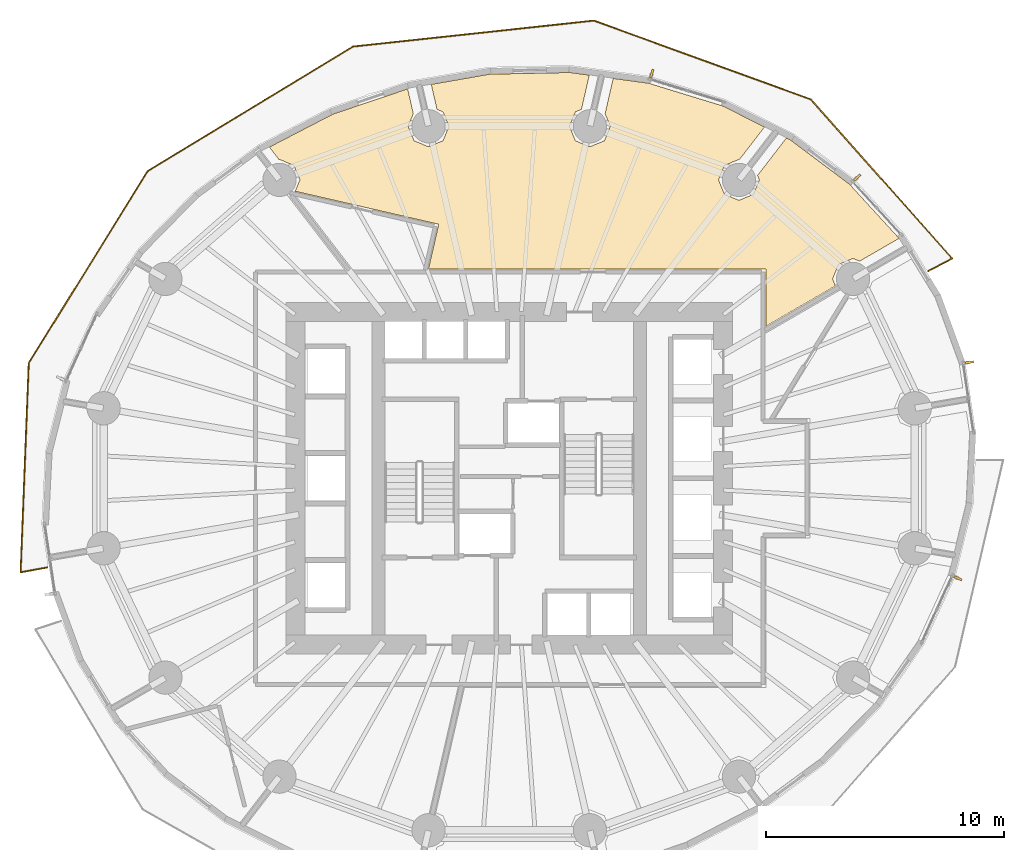
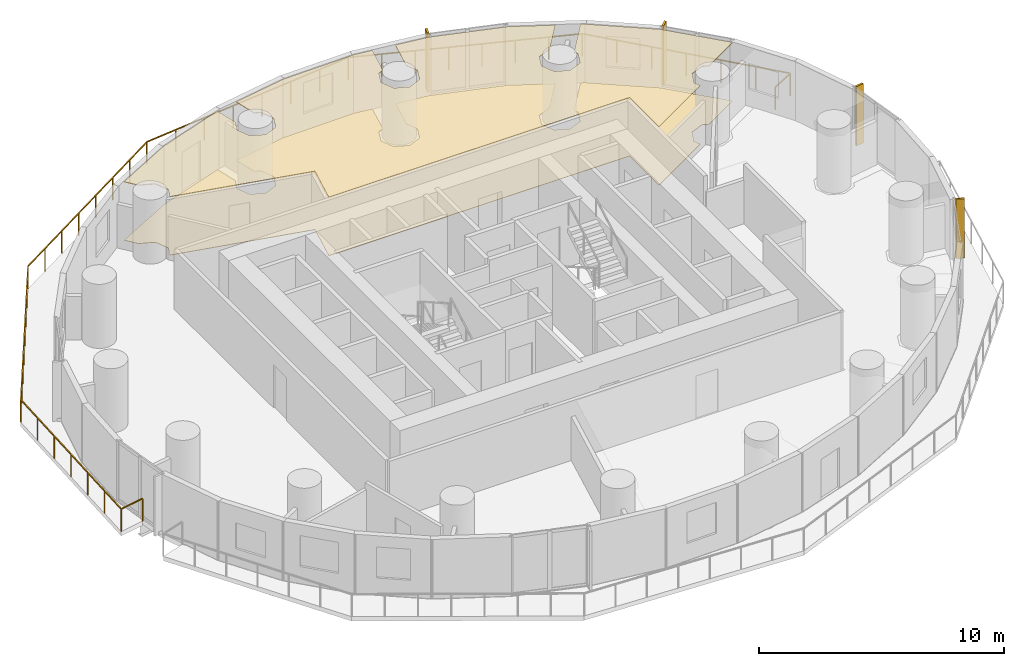
# One storey, part 13 of 13: 4 shading devices, 2 coverings, 1 railing.
"""IFC4 building model written with IfcOpenShell, lengths in metres."""

from ifc_helpers import new_model, si_unit, direction, frame, origin, origin_2d, place, context, subcontext, project, spatial, polyline, rectangle, outline, extrude, material, layer, layer_set, type_object, element, save


model = new_model("IFC4")

# Units and contexts
model_context = context("Model", 3, precision=1e-05, world=origin(), true_north=direction((0.0, 1.0)))
body_context = subcontext(model_context, "Body", "Model", "MODEL_VIEW")
ifc_project = project(units=[si_unit("LENGTHUNIT", "METRE"), si_unit("AREAUNIT", "SQUARE_METRE"), si_unit("VOLUMEUNIT", "CUBIC_METRE"), si_unit("PLANEANGLEUNIT", "RADIAN"), si_unit("MASSUNIT", "GRAM", prefix="KILO")], contexts=[model_context])

# Site, building, storey
site_placement = place(None, origin())
site = spatial("IfcSite", under=ifc_project, at=site_placement, CompositionType="ELEMENT")
building_placement = place(site_placement, origin())
building = spatial("IfcBuilding", under=site, at=building_placement, Name="Veldorim Arch Residences", CompositionType="ELEMENT")
storey_placement = place(building_placement, frame((0.0, 0.0, 60.0)))
storey = spatial("IfcBuildingStorey", under=building, at=storey_placement, Name="L17", CompositionType="ELEMENT", Elevation=60.0)

# Railing
ifc_material_1 = material(Name="Aluminium", Category="aluminium")
railing_type = type_object("IfcRailingType", Name="Balcony & Terrace Laminated Glass Balustrade 1150", PredefinedType="BALUSTRADE", material=ifc_material_1)
railing_placement = place(storey_placement, frame((49.627197265625, 32.710693359375, 0.0)))
element("IfcRailing", 1, at=railing_placement, inside=storey, type_object=railing_type, Name="L17 crescent balcony safety balustrade A", PredefinedType="BALUSTRADE", context=body_context, shape_type="SweptSolid", body=[
    extrude(rectangle(XDim=0.048095703125, YDim=0.048095703125, at=origin_2d()), frame((0.0, 0.0, 1.1259765625), z_axis=(0.882535057187, 0.470246608532, 0.0), x_axis=(-0.470246608532, 0.882535057187, 0.0)), (0.0, 0.0, 1.0), 1.14990234375),
    extrude(rectangle(XDim=0.048095703125, YDim=0.048095703125, at=origin_2d()), frame((1.014892578125, 0.540771484375, 1.1259765625), z_axis=(-0.664674991749, 0.747132622326, 0.0), x_axis=(-0.747132622326, -0.664674991749, 0.0)), (0.0, 0.0, 1.0), 8.95947265625),
    extrude(rectangle(XDim=0.048095703125, YDim=0.048095703125, at=origin_2d()), frame((-4.940185546875, 7.234619140625, 1.1259765625), z_axis=(-0.939918921512, 0.341397746014, 0.0), x_axis=(-0.341397746014, -0.939918921512, 0.0)), (0.0, 0.0, 1.0), 9.707763671875),
    extrude(rectangle(XDim=0.048095703125, YDim=0.048095703125, at=origin_2d()), frame((-14.064697265625, 10.548828125, 1.1259765625), z_axis=(-0.994246394541, -0.107117257909, 0.0), x_axis=(0.107117257909, -0.994246394541, 0.0)), (0.0, 0.0, 1.0), 10.197021484375),
    extrude(rectangle(XDim=0.048095703125, YDim=0.048095703125, at=origin_2d()), frame((-24.203125, 9.45654296875, 1.1259765625), z_axis=(-0.854818901019, -0.518926436464, 0.0), x_axis=(0.518926436464, -0.854818901019, 0.0)), (0.0, 0.0, 1.0), 10.105224609375),
    extrude(rectangle(XDim=0.048095703125, YDim=0.048095703125, at=origin_2d()), frame((-32.84130859375, 4.212646484375, 1.1259765625), z_axis=(-0.526835729624, -0.849967125242, 0.0), x_axis=(0.849967125242, -0.526835729624, 0.0)), (0.0, 0.0, 1.0), 9.501708984375),
    extrude(rectangle(XDim=0.048095703125, YDim=0.048095703125, at=origin_2d()), frame((-37.84716796875, -3.863525390625, 1.1259765625), z_axis=(-0.038727820565, -0.999249796555, 0.0), x_axis=(0.999249796555, -0.038727820565, 0.0)), (0.0, 0.0, 1.0), 8.81298828125),
    extrude(rectangle(XDim=0.048095703125, YDim=0.048095703125, at=origin_2d()), frame((-38.1884765625, -12.669921875, 1.1259765625), z_axis=(0.983507885163, 0.180865253218, 0.0), x_axis=(-0.180865253218, 0.983507885163, 0.0)), (0.0, 0.0, 1.0), 1.150146484375),
    extrude(rectangle(XDim=0.0419921875, YDim=0.0419921875, at=origin_2d()), origin(), (0.0, 0.0, 1.0), 1.101806640625),
    extrude(rectangle(XDim=0.0419921875, YDim=0.0419921875, at=origin_2d()), frame((1.014892578125, 0.540771484375, 0.0)), (0.0, 0.0, 1.0), 1.101806640625),
    extrude(rectangle(XDim=0.0419921875, YDim=0.0419921875, at=origin_2d()), frame((0.0224609375, 1.656494140625, 0.0)), (0.0, 0.0, 1.0), 1.101806640625),
    extrude(rectangle(XDim=0.0419921875, YDim=0.0419921875, at=origin_2d()), frame((-0.97021484375, 2.77197265625, 0.0)), (0.0, 0.0, 1.0), 1.101806640625),
    extrude(rectangle(XDim=0.0419921875, YDim=0.0419921875, at=origin_2d()), frame((-1.962646484375, 3.8876953125, 0.0)), (0.0, 0.0, 1.0), 1.101806640625),
    extrude(rectangle(XDim=0.0419921875, YDim=0.0419921875, at=origin_2d()), frame((-2.955078125, 5.00341796875, 0.0)), (0.0, 0.0, 1.0), 1.101806640625),
    extrude(rectangle(XDim=0.0419921875, YDim=0.0419921875, at=origin_2d()), frame((-3.94775390625, 6.118896484375, 0.0)), (0.0, 0.0, 1.0), 1.101806640625),
    extrude(rectangle(XDim=0.0419921875, YDim=0.0419921875, at=origin_2d()), frame((-4.940185546875, 7.234619140625, 0.0)), (0.0, 0.0, 1.0), 1.101806640625),
    extrude(rectangle(XDim=0.0419921875, YDim=0.0419921875, at=origin_2d()), frame((-6.24365234375, 7.7080078125, 0.0)), (0.0, 0.0, 1.0), 1.101806640625),
    extrude(rectangle(XDim=0.0419921875, YDim=0.0419921875, at=origin_2d()), frame((-7.547119140625, 8.181640625, 0.0)), (0.0, 0.0, 1.0), 1.101806640625),
    extrude(rectangle(XDim=0.0419921875, YDim=0.0419921875, at=origin_2d()), frame((-8.8505859375, 8.655029296875, 0.0)), (0.0, 0.0, 1.0), 1.101806640625),
    extrude(rectangle(XDim=0.0419921875, YDim=0.0419921875, at=origin_2d()), frame((-10.154296875, 9.12841796875, 0.0)), (0.0, 0.0, 1.0), 1.101806640625),
    extrude(rectangle(XDim=0.0419921875, YDim=0.0419921875, at=origin_2d()), frame((-11.457763671875, 9.601806640625, 0.0)), (0.0, 0.0, 1.0), 1.101806640625),
    extrude(rectangle(XDim=0.0419921875, YDim=0.0419921875, at=origin_2d()), frame((-12.76123046875, 10.075439453125, 0.0)), (0.0, 0.0, 1.0), 1.101806640625),
    extrude(rectangle(XDim=0.0419921875, YDim=0.0419921875, at=origin_2d()), frame((-14.064697265625, 10.548828125, 0.0)), (0.0, 0.0, 1.0), 1.101806640625),
    extrude(rectangle(XDim=0.0419921875, YDim=0.0419921875, at=origin_2d()), frame((-15.512939453125, 10.392822265625, 0.0)), (0.0, 0.0, 1.0), 1.101806640625),
    extrude(rectangle(XDim=0.0419921875, YDim=0.0419921875, at=origin_2d()), frame((-16.96142578125, 10.23681640625, 0.0)), (0.0, 0.0, 1.0), 1.101806640625),
    extrude(rectangle(XDim=0.0419921875, YDim=0.0419921875, at=origin_2d()), frame((-18.40966796875, 10.080810546875, 0.0)), (0.0, 0.0, 1.0), 1.101806640625),
    extrude(rectangle(XDim=0.0419921875, YDim=0.0419921875, at=origin_2d()), frame((-19.858154296875, 9.924560546875, 0.0)), (0.0, 0.0, 1.0), 1.101806640625),
    extrude(rectangle(XDim=0.0419921875, YDim=0.0419921875, at=origin_2d()), frame((-21.306396484375, 9.7685546875, 0.0)), (0.0, 0.0, 1.0), 1.101806640625),
    extrude(rectangle(XDim=0.0419921875, YDim=0.0419921875, at=origin_2d()), frame((-22.7548828125, 9.612548828125, 0.0)), (0.0, 0.0, 1.0), 1.101806640625),
    extrude(rectangle(XDim=0.0419921875, YDim=0.0419921875, at=origin_2d()), frame((-24.203125, 9.45654296875, 0.0)), (0.0, 0.0, 1.0), 1.101806640625),
    extrude(rectangle(XDim=0.0419921875, YDim=0.0419921875, at=origin_2d()), frame((-25.437255859375, 8.70751953125, 0.0)), (0.0, 0.0, 1.0), 1.101806640625),
    extrude(rectangle(XDim=0.0419921875, YDim=0.0419921875, at=origin_2d()), frame((-26.671142578125, 7.958251953125, 0.0)), (0.0, 0.0, 1.0), 1.101806640625),
    extrude(rectangle(XDim=0.0419921875, YDim=0.0419921875, at=origin_2d()), frame((-27.9052734375, 7.209228515625, 0.0)), (0.0, 0.0, 1.0), 1.101806640625),
    extrude(rectangle(XDim=0.0419921875, YDim=0.0419921875, at=origin_2d()), frame((-29.13916015625, 6.4599609375, 0.0)), (0.0, 0.0, 1.0), 1.101806640625),
    extrude(rectangle(XDim=0.0419921875, YDim=0.0419921875, at=origin_2d()), frame((-30.373291015625, 5.7109375, 0.0)), (0.0, 0.0, 1.0), 1.101806640625),
    extrude(rectangle(XDim=0.0419921875, YDim=0.0419921875, at=origin_2d()), frame((-31.607177734375, 4.961669921875, 0.0)), (0.0, 0.0, 1.0), 1.101806640625),
    extrude(rectangle(XDim=0.0419921875, YDim=0.0419921875, at=origin_2d()), frame((-32.84130859375, 4.212646484375, 0.0)), (0.0, 0.0, 1.0), 1.101806640625),
    extrude(rectangle(XDim=0.0419921875, YDim=0.0419921875, at=origin_2d()), frame((-33.556396484375, 3.058837890625, 0.0)), (0.0, 0.0, 1.0), 1.101806640625),
    extrude(rectangle(XDim=0.0419921875, YDim=0.0419921875, at=origin_2d()), frame((-34.271484375, 1.9052734375, 0.0)), (0.0, 0.0, 1.0), 1.101806640625),
    extrude(rectangle(XDim=0.0419921875, YDim=0.0419921875, at=origin_2d()), frame((-34.986572265625, 0.75146484375, 0.0)), (0.0, 0.0, 1.0), 1.101806640625),
    extrude(rectangle(XDim=0.0419921875, YDim=0.0419921875, at=origin_2d()), frame((-35.701904296875, -0.40234375, 0.0)), (0.0, 0.0, 1.0), 1.101806640625),
    extrude(rectangle(XDim=0.0419921875, YDim=0.0419921875, at=origin_2d()), frame((-36.4169921875, -1.55615234375, 0.0)), (0.0, 0.0, 1.0), 1.101806640625),
    extrude(rectangle(XDim=0.0419921875, YDim=0.0419921875, at=origin_2d()), frame((-37.132080078125, -2.709716796875, 0.0)), (0.0, 0.0, 1.0), 1.101806640625),
    extrude(rectangle(XDim=0.0419921875, YDim=0.0419921875, at=origin_2d()), frame((-37.84716796875, -3.863525390625, 0.0)), (0.0, 0.0, 1.0), 1.101806640625),
    extrude(rectangle(XDim=0.0419921875, YDim=0.0419921875, at=origin_2d()), frame((-37.904052734375, -5.331298828125, 0.0)), (0.0, 0.0, 1.0), 1.101806640625),
    extrude(rectangle(XDim=0.0419921875, YDim=0.0419921875, at=origin_2d()), frame((-37.9609375, -6.799072265625, 0.0)), (0.0, 0.0, 1.0), 1.101806640625),
    extrude(rectangle(XDim=0.0419921875, YDim=0.0419921875, at=origin_2d()), frame((-38.017822265625, -8.2666015625, 0.0)), (0.0, 0.0, 1.0), 1.101806640625),
    extrude(rectangle(XDim=0.0419921875, YDim=0.0419921875, at=origin_2d()), frame((-38.07470703125, -9.734375, 0.0)), (0.0, 0.0, 1.0), 1.101806640625),
    extrude(rectangle(XDim=0.0419921875, YDim=0.0419921875, at=origin_2d()), frame((-38.131591796875, -11.2021484375, 0.0)), (0.0, 0.0, 1.0), 1.101806640625),
    extrude(rectangle(XDim=0.0419921875, YDim=0.0419921875, at=origin_2d()), frame((-38.1884765625, -12.669921875, 0.0)), (0.0, 0.0, 1.0), 1.101806640625),
    extrude(rectangle(XDim=0.0419921875, YDim=0.0419921875, at=origin_2d()), frame((-37.057373046875, -12.4619140625, 0.0)), (0.0, 0.0, 1.0), 1.101806640625),
])

# Coverings
ifc_material_2 = material(Name="Acoustic Gypsum & Mineral Fibre", Category="gypsum")
ifc_layer_1 = layer(ifc_material_2, 0.034912109375, Name="Perforated Acoustic Mineral-Fibre Ceiling 35")
ifc_layer_set_1 = layer_set([ifc_layer_1], Name="Acoustic Gypsum & Mineral Fibre")
covering_type_1 = type_object("IfcCoveringType", Name="Perforated Acoustic Mineral-Fibre Ceiling 35", PredefinedType="CEILING", material=ifc_layer_set_1)
covering_1_placement = place(storey_placement, frame((0.0, 0.0, 2.905029296875)))
element("IfcCovering", 2, at=covering_1_placement, inside=storey, type_object=covering_type_1, Name="L17 acoustic suspended ceiling 02", PredefinedType="CEILING", context=body_context, shape_type="SweptSolid", body=[
    extrude(outline(polyline([(21.906982421875, 37.9365234375), (24.591796875, 39.3271484375), (27.7265625, 40.3837890625), (27.965576171875, 39.341064453125), (27.74560546875, 38.809814453125), (27.997314453125, 38.201904296875), (28.60546875, 37.949951171875), (29.21337890625, 38.201904296875), (29.46533203125, 38.809814453125), (29.21337890625, 39.41796875), (28.960205078125, 39.52294921875), (28.71923828125, 40.572998046875), (31.17919921875, 41.00390625), (34.56103515625, 41.0732421875), (35.3701171875, 40.962890625), (35.039794921875, 39.52294921875), (34.78662109375, 39.41796875), (34.53466796875, 38.809814453125), (34.78662109375, 38.201904296875), (35.39453125, 37.949951171875), (36.002685546875, 38.201904296875), (36.25439453125, 38.809814453125), (36.034423828125, 39.341064453125), (36.374755859375, 40.82568359375), (37.864013671875, 40.62255859375), (40.98681640625, 39.666015625), (42.744140625, 38.781982421875), (41.685546875, 37.4072265625), (41.6669921875, 37.4150390625), (41.058837890625, 37.1630859375), (40.806884765625, 36.55517578125), (41.058837890625, 35.947265625), (41.6669921875, 35.6953125), (42.27490234375, 35.947265625), (42.52685546875, 36.55517578125), (42.448974609375, 36.7431640625), (43.6630859375, 38.320068359375), (43.83447265625, 38.233642578125), (46.32080078125, 36.370361328125), (48.371337890625, 34.13330078125), (48.396728515625, 34.091552734375), (46.745361328125, 33.1337890625), (46.467529296875, 33.2490234375), (45.859619140625, 32.9970703125), (45.607666015625, 32.38916015625), (45.727783203125, 32.098876953125), (42.800048828125, 30.401123046875), (42.800048828125, 32.800048828125), (28.60009765625, 32.800048828125), (29.0341796875, 34.688232421875), (22.994873046875, 36.07666015625), (23.193115234375, 36.55517578125), (22.941162109375, 37.1630859375), (22.3330078125, 37.4150390625), (22.314453125, 37.4072265625), (21.906982421875, 37.9365234375)])), origin(), (0.0, 0.0, 1.0), 0.034912109375),
])
ifc_material_3 = material(Name="Porcelain Ceramic Tile", Category="ceramic")
ifc_layer_2 = layer(ifc_material_3, 0.02001953125, Name="Slip-Resistant Porcelain & Vinyl Floor Finish 20")
ifc_layer_set_2 = layer_set([ifc_layer_2], Name="Porcelain Ceramic Tile")
covering_type_2 = type_object("IfcCoveringType", Name="Slip-Resistant Porcelain & Vinyl Floor Finish 20", PredefinedType="FLOORING", material=ifc_layer_set_2)
covering_2_placement = place(storey_placement, origin())
element("IfcCovering", 3, at=covering_2_placement, inside=storey, type_object=covering_type_2, Name="L17 porcelain floor finish 02", PredefinedType="FLOORING", context=body_context, shape_type="SweptSolid", body=[
    extrude(outline(polyline([(21.906982421875, 37.9365234375), (24.591796875, 39.3271484375), (27.7265625, 40.3837890625), (27.965576171875, 39.341064453125), (27.74560546875, 38.809814453125), (27.997314453125, 38.201904296875), (28.60546875, 37.949951171875), (29.21337890625, 38.201904296875), (29.46533203125, 38.809814453125), (29.21337890625, 39.41796875), (28.960205078125, 39.52294921875), (28.71923828125, 40.572998046875), (31.17919921875, 41.00390625), (34.56103515625, 41.0732421875), (35.3701171875, 40.962890625), (35.039794921875, 39.52294921875), (34.78662109375, 39.41796875), (34.53466796875, 38.809814453125), (34.78662109375, 38.201904296875), (35.39453125, 37.949951171875), (36.002685546875, 38.201904296875), (36.25439453125, 38.809814453125), (36.034423828125, 39.341064453125), (36.374755859375, 40.82568359375), (37.864013671875, 40.62255859375), (40.98681640625, 39.666015625), (42.744140625, 38.781982421875), (41.685546875, 37.4072265625), (41.6669921875, 37.4150390625), (41.058837890625, 37.1630859375), (40.806884765625, 36.55517578125), (41.058837890625, 35.947265625), (41.6669921875, 35.6953125), (42.27490234375, 35.947265625), (42.52685546875, 36.55517578125), (42.448974609375, 36.7431640625), (43.6630859375, 38.320068359375), (43.83447265625, 38.233642578125), (46.32080078125, 36.370361328125), (48.371337890625, 34.13330078125), (48.396728515625, 34.091552734375), (46.745361328125, 33.1337890625), (46.467529296875, 33.2490234375), (45.859619140625, 32.9970703125), (45.607666015625, 32.38916015625), (45.727783203125, 32.098876953125), (42.800048828125, 30.401123046875), (42.800048828125, 32.800048828125), (28.60009765625, 32.800048828125), (29.0341796875, 34.688232421875), (22.994873046875, 36.07666015625), (23.193115234375, 36.55517578125), (22.941162109375, 37.1630859375), (22.3330078125, 37.4150390625), (22.314453125, 37.4072265625), (21.906982421875, 37.9365234375)])), origin(), (0.0, 0.0, 1.0), 0.02001953125),
])

# Shading devices
ifc_material_4 = material(Name="Terracotta Ceramic", Category="masonry")
ifc_layer_3 = layer(ifc_material_4, 0.090087890625, Name="Vertical Extruded Terracotta Baguette Sun-Shading Fin")
ifc_layer_set_3 = layer_set([ifc_layer_3], Name="Terracotta Ceramic")
shading_device_type = type_object("IfcShadingDeviceType", Name="Vertical Extruded Terracotta Baguette Sun-Shading Fin", PredefinedType="USERDEFINED", material=ifc_layer_set_3)
for number, where, z_axis, x_axis, name in (
    (4, (46.6455078125, 36.656494140625, 0.0), (0.0, 0.0, 1.0), (0.675718876495, -0.737159412846, 0.0), "L17 vertical terracotta sun-shading fin 03"),
    (5, (38.00146484375, 41.03271484375, 0.0), (0.0, 0.0, 1.0), (0.956151539415, -0.292872384621, 0.0), "L17 vertical terracotta sun-shading fin 06"),
    (6, (50.882080078125, 19.7939453125, 0.0), (0.0, 0.0, 1.0), (-0.416122094283, -0.909308749903, 0.0), "L17 vertical terracotta sun-shading fin 33"),
    (7, (51.363525390625, 28.87744140625, 0.0), (0.0, 0.0, 1.0), (0.14832723834, -0.988938334967, 0.0), "L17 vertical terracotta sun-shading fin 36"),
):
    element("IfcShadingDevice", number, at=place(storey_placement, frame(where, z_axis=z_axis, x_axis=x_axis)), inside=storey, type_object=shading_device_type, Name=name, ObjectType="FIN", PredefinedType="USERDEFINED", context=body_context, shape_type="SweptSolid", body=[
        extrude(rectangle(XDim=0.090087890625, YDim=0.360107421875, at=origin_2d()), origin(), (0.0, 0.0, 1.0), 2.9599609375),
    ])

save(model, "model.ifc")
